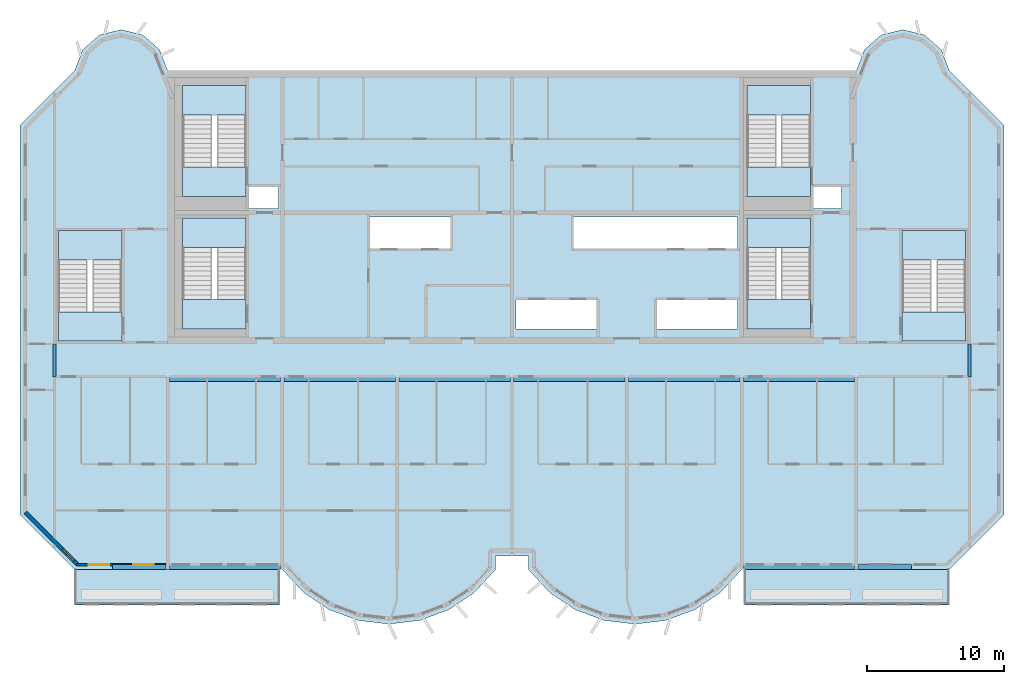
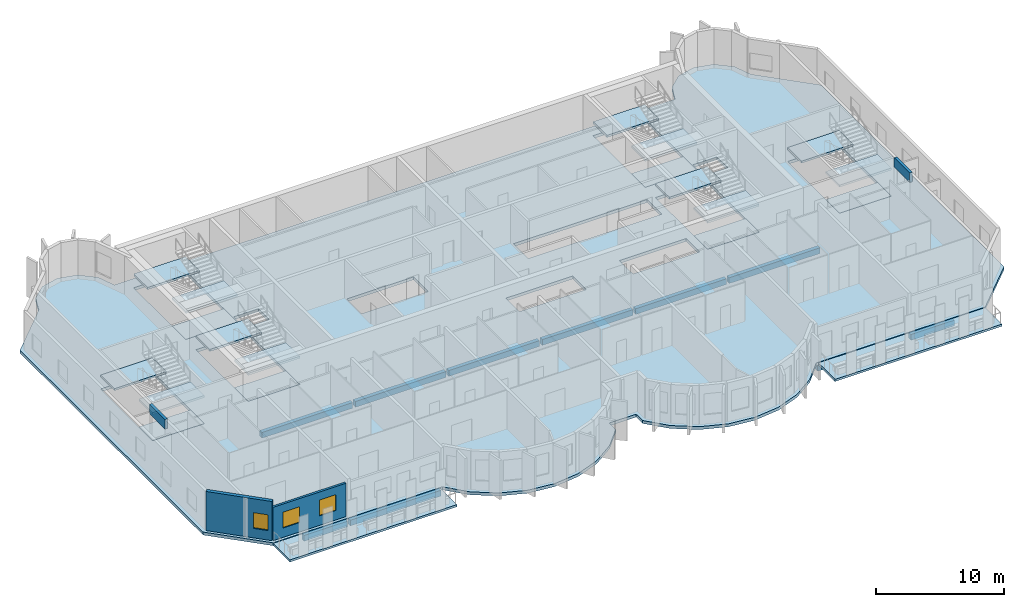
# One storey, part 1 of 12: 21 slabs, 12 beams, 3 windows, 2 walls, 3 openings, 6 elements without a shape of their own.
"""IFC4 building model written with IfcOpenShell, lengths in metres."""

from ifc_helpers import new_model, si_unit, direction, frame, frame_2d, origin, origin_2d, place, context, subcontext, project, spatial, polyline, rectangle, outline, extrude, source, transform, mapped, material, layer, layer_set, material_profile, profile_set, type_object, element, fill, aggregate, save


model = new_model("IFC4")

# Units and contexts
model_context = context("Model", 3, precision=1e-05, world=origin(), true_north=direction((0.0, 1.0)))
body_context = subcontext(model_context, "Body", "Model", "MODEL_VIEW")
ifc_project = project(units=[si_unit("LENGTHUNIT", "METRE"), si_unit("AREAUNIT", "SQUARE_METRE"), si_unit("VOLUMEUNIT", "CUBIC_METRE"), si_unit("PLANEANGLEUNIT", "RADIAN"), si_unit("MASSUNIT", "GRAM", prefix="KILO")], contexts=[model_context])

# Site, building, storey
site_placement = place(None, origin())
site = spatial("IfcSite", under=ifc_project, at=site_placement, CompositionType="ELEMENT")
building_placement = place(site_placement, origin())
building = spatial("IfcBuilding", under=site, at=building_placement, Name="Vanashikhar Sky Hotel", CompositionType="ELEMENT")
storey_placement = place(building_placement, frame((0.0, 0.0, 281.699951171875)))
storey = spatial("IfcBuildingStorey", under=building, at=storey_placement, Name="L67", CompositionType="ELEMENT", Elevation=281.699951171875)

# Beams
ifc_material_1 = material(Name="Concrete M50", Category="concrete")
ifc_material_profile_1 = material_profile(ifc_material_1, rectangle(XDim=0.25, YDim=0.89990234375, at=origin_2d()))
ifc_profile_set_1 = profile_set([ifc_material_profile_1], Name="RC 250x900 beam Concrete M50")
beam_type_1 = type_object("IfcBeamType", Name="RC 250x900 beam Concrete M50", PredefinedType="LINTEL", material=ifc_profile_set_1)
shared_shape_1 = source(origin(), body_context, "Body", "SweptSolid", [
    extrude(rectangle(XDim=0.25, YDim=0.89990234375, at=origin_2d()), origin(), (0.0, 0.0, 1.0), 2.39990234375),
])
for number, where, z_axis, x_axis, name in (
    (1, (16.925048828125, 19.60009765625, 3.27001953125), (0.0, 1.0, 0.0), (-1.0, 0.0, 0.0), "LB-L67-XW03"),
    (2, (83.875, 19.60009765625, 3.27001953125), (0.0, 1.0, 0.0), (-1.0, 0.0, 0.0), "LB-L67-XW11"),
):
    element("IfcBeam", number, at=place(storey_placement, frame(where, z_axis=z_axis, x_axis=x_axis)), inside=storey, type_object=beam_type_1, Name=name, PredefinedType="LINTEL", context=body_context, shape_type="MappedRepresentation", body=[
        mapped(shared_shape_1, transform((0.0, 0.0, 0.0), scale=1.0)),
    ])
ifc_material_profile_2 = material_profile(ifc_material_1, rectangle(XDim=0.35009765625, YDim=0.550048828125, at=origin_2d()))
ifc_profile_set_2 = profile_set([ifc_material_profile_2], Name="RC 350x550 beam Concrete M50")
beam_type_2 = type_object("IfcBeamType", Name="RC 350x550 beam Concrete M50", PredefinedType="SPANDREL", material=ifc_profile_set_2)
shared_shape_2 = source(origin(), body_context, "Body", "SweptSolid", [
    extrude(rectangle(XDim=0.35009765625, YDim=0.550048828125, at=origin_2d()), origin(), (0.0, 0.0, 1.0), 8.150146484375),
])
for number, where, z_axis, x_axis, name in (
    (3, (25.324951171875, 5.675048828125, -0.554931640625), (1.0, 0.0, 0.0), (0.0, 1.0, 0.0), "EB-L67-F01"),
    (4, (67.324951171875, 5.675048828125, -0.554931640625), (1.0, 0.0, 0.0), (0.0, 1.0, 0.0), "EB-L67-F03"),
    (5, (25.324951171875, 19.425048828125, -0.554931640625), (1.0, 0.0, 0.0), (0.0, 1.0, 0.0), "CB-L67-01"),
    (6, (50.52490234375, 19.425048828125, -0.554931640625), (1.0, 0.0, 0.0), (0.0, 1.0, 0.0), "CB-L67-04"),
    (7, (67.324951171875, 19.425048828125, -0.554931640625), (1.0, 0.0, 0.0), (0.0, 1.0, 0.0), "CB-L67-06"),
):
    element("IfcBeam", number, at=place(storey_placement, frame(where, z_axis=z_axis, x_axis=x_axis)), inside=storey, type_object=beam_type_2, Name=name, PredefinedType="SPANDREL", context=body_context, shape_type="MappedRepresentation", body=[
        mapped(shared_shape_2, transform((0.0, 0.0, 0.0), scale=1.0)),
    ])
ifc_material_profile_3 = material_profile(ifc_material_1, rectangle(XDim=0.35009765625, YDim=0.550048828125, at=origin_2d()))
ifc_profile_set_3 = profile_set([ifc_material_profile_3], Name="RC 350x550 cantilever beam Concrete M50")
beam_type_3 = type_object("IfcBeamType", Name="RC 350x550 cantilever beam Concrete M50", PredefinedType="SPANDREL", material=ifc_profile_set_3)
shared_shape_3 = source(origin(), body_context, "Body", "SweptSolid", [
    extrude(rectangle(XDim=0.35009765625, YDim=0.550048828125, at=origin_2d()), origin(), (0.0, 0.0, 1.0), 3.89990234375),
])
for number, where, z_axis, x_axis, name in (
    (8, (21.175048828125, 5.675048828125, -0.554931640625), (1.0, 0.0, 0.0), (0.0, 1.0, 0.0), "EB-L67-F02"),
    (9, (75.72509765625, 5.675048828125, -0.554931640625), (1.0, 0.0, 0.0), (0.0, 1.0, 0.0), "EB-L67-F04"),
):
    element("IfcBeam", number, at=place(storey_placement, frame(where, z_axis=z_axis, x_axis=x_axis)), inside=storey, type_object=beam_type_3, Name=name, PredefinedType="SPANDREL", context=body_context, shape_type="MappedRepresentation", body=[
        mapped(shared_shape_3, transform((0.0, 0.0, 0.0), scale=1.0)),
    ])
shared_shape_4 = source(origin(), body_context, "Body", "SweptSolid", [
    extrude(rectangle(XDim=0.35009765625, YDim=0.550048828125, at=origin_2d()), origin(), (0.0, 0.0, 1.0), 8.14990234375),
])
for number, where, z_axis, x_axis, name in (
    (10, (33.72509765625, 19.425048828125, -0.554931640625), (1.0, 0.0, 0.0), (0.0, 1.0, 0.0), "CB-L67-02"),
    (11, (42.125, 19.425048828125, -0.554931640625), (1.0, 0.0, 0.0), (0.0, 1.0, 0.0), "CB-L67-03"),
    (12, (58.925048828125, 19.425048828125, -0.554931640625), (1.0, 0.0, 0.0), (0.0, 1.0, 0.0), "CB-L67-05"),
):
    element("IfcBeam", number, at=place(storey_placement, frame(where, z_axis=z_axis, x_axis=x_axis)), inside=storey, type_object=beam_type_2, Name=name, PredefinedType="SPANDREL", context=body_context, shape_type="MappedRepresentation", body=[
        mapped(shared_shape_4, transform((0.0, 0.0, 0.0), scale=1.0)),
    ])

# Slabs
ifc_material_2 = material(Name="Concrete M40", Category="concrete")
ifc_layer_1 = layer(ifc_material_2, 0.280029296875)
ifc_layer_set_1 = layer_set([ifc_layer_1], Name="Floor slab 280 mm")
slab_type_1 = type_object("IfcSlabType", Name="Floor slab 280 mm", PredefinedType="FLOOR", material=ifc_layer_set_1)
shared_shape_5 = source(origin(), body_context, "Body", "SweptSolid", [
    extrude(outline(polyline([(49.199951171875, 5.5), (49.199951171875, 6.5), (51.60009765625, 6.5), (51.60009765625, 5.5), (53.133056640625, 3.825927734375), (55.01708984375, 2.55810546875), (57.14599609375, 1.76806640625), (59.39990234375, 1.5), (61.654052734375, 1.76806640625), (63.782958984375, 2.55810546875), (65.6669921875, 3.825927734375), (67.199951171875, 5.5), (82.39990234375, 5.5), (86.39990234375, 9.5), (86.39990234375, 38.0), (82.39990234375, 42.0), (81.81494140625, 43.527099609375), (80.587890625, 44.610107421875), (79.0, 45.0), (77.412109375, 44.610107421875), (76.18505859375, 43.527099609375), (75.60009765625, 42.0), (25.199951171875, 42.0), (24.614990234375, 43.527099609375), (23.387939453125, 44.610107421875), (21.800048828125, 45.0), (20.2119140625, 44.610107421875), (18.985107421875, 43.527099609375), (18.39990234375, 42.0), (14.39990234375, 38.0), (14.39990234375, 9.5), (18.39990234375, 5.5), (33.60009765625, 5.5), (35.133056640625, 3.825927734375), (37.01708984375, 2.55810546875), (39.14599609375, 1.76806640625), (41.39990234375, 1.5), (43.654052734375, 1.76806640625), (45.782958984375, 2.55810546875), (47.6669921875, 3.825927734375), (49.199951171875, 5.5)]), holes=[polyline([(33.300048828125, 33.60009765625), (31.050048828125, 33.60009765625), (31.050048828125, 31.89990234375), (33.300048828125, 31.89990234375), (33.300048828125, 33.60009765625)]), polyline([(39.89990234375, 31.300048828125), (39.89990234375, 29.0), (45.89990234375, 29.0), (45.89990234375, 31.300048828125), (39.89990234375, 31.300048828125)]), polyline([(50.699951171875, 25.199951171875), (50.699951171875, 23.10009765625), (56.699951171875, 23.10009765625), (56.699951171875, 25.199951171875), (50.699951171875, 25.199951171875)]), polyline([(66.89990234375, 29.0), (66.89990234375, 31.300048828125), (54.89990234375, 31.300048828125), (54.89990234375, 29.0), (66.89990234375, 29.0)]), polyline([(60.89990234375, 25.199951171875), (60.89990234375, 23.10009765625), (66.89990234375, 23.10009765625), (66.89990234375, 25.199951171875), (60.89990234375, 25.199951171875)]), polyline([(74.5, 33.60009765625), (72.35009765625, 33.60009765625), (72.35009765625, 31.89990234375), (74.5, 31.89990234375), (74.5, 33.60009765625)]), polyline([(30.949951171875, 23.10009765625), (30.949951171875, 31.199951171875), (26.300048828125, 31.199951171875), (26.300048828125, 23.10009765625), (30.949951171875, 23.10009765625)]), polyline([(72.25, 23.10009765625), (72.25, 31.199951171875), (67.60009765625, 31.199951171875), (67.60009765625, 23.10009765625), (72.25, 23.10009765625)]), polyline([(30.949951171875, 32.800048828125), (30.949951171875, 40.89990234375), (26.300048828125, 40.89990234375), (26.300048828125, 32.800048828125), (30.949951171875, 32.800048828125)]), polyline([(72.25, 32.800048828125), (72.25, 40.89990234375), (67.60009765625, 40.89990234375), (67.60009765625, 32.800048828125), (72.25, 32.800048828125)]), polyline([(83.60009765625, 22.199951171875), (83.60009765625, 30.300048828125), (78.949951171875, 30.300048828125), (78.949951171875, 22.199951171875), (83.60009765625, 22.199951171875)]), polyline([(21.85009765625, 22.199951171875), (21.85009765625, 30.300048828125), (17.199951171875, 30.300048828125), (17.199951171875, 22.199951171875), (21.85009765625, 22.199951171875)])]), origin(), (0.0, 0.0, 1.0), 0.280029296875),
])
slab_1_placement = place(storey_placement, frame((0.0, 0.0, -0.280029296875)))
element("IfcSlab", 13, at=slab_1_placement, inside=storey, type_object=slab_type_1, Name="Floor slab L67", PredefinedType="FLOOR", context=body_context, shape_type="MappedRepresentation", body=[
    mapped(shared_shape_5, transform((0.0, 0.0, 0.0), scale=1.0)),
])
ifc_layer_2 = layer(ifc_material_2, 0.199951171875)
ifc_layer_set_2 = layer_set([ifc_layer_2], Name="Balcony slab 200 mm")
slab_type_2 = type_object("IfcSlabType", Name="Balcony slab 200 mm", PredefinedType="USERDEFINED", material=ifc_layer_set_2)
shared_shape_6 = source(origin(), body_context, "Body", "SweptSolid", [
    extrude(outline(polyline([(18.39990234375, 2.89990234375), (33.39990234375, 2.89990234375), (33.39990234375, 5.5), (18.39990234375, 5.5), (18.39990234375, 2.89990234375)])), origin(), (0.0, 0.0, 1.0), 0.199951171875),
])
slab_2_placement = place(storey_placement, frame((0.0, 0.0, -0.25)))
element("IfcSlab", 14, at=slab_2_placement, inside=storey, type_object=slab_type_2, Name="Balcony slab L67 1", ObjectType="BALCONY", PredefinedType="USERDEFINED", context=body_context, shape_type="MappedRepresentation", body=[
    mapped(shared_shape_6, transform((0.0, 0.0, 0.0), scale=1.0)),
])
shared_shape_7 = source(origin(), body_context, "Body", "SweptSolid", [
    extrude(outline(polyline([(67.39990234375, 2.89990234375), (82.39990234375, 2.89990234375), (82.39990234375, 5.5), (67.39990234375, 5.5), (67.39990234375, 2.89990234375)])), origin(), (0.0, 0.0, 1.0), 0.199951171875),
])
slab_3_placement = place(storey_placement, frame((0.0, 0.0, -0.25)))
element("IfcSlab", 15, at=slab_3_placement, inside=storey, type_object=slab_type_2, Name="Balcony slab L67 2", ObjectType="BALCONY", PredefinedType="USERDEFINED", context=body_context, shape_type="MappedRepresentation", body=[
    mapped(shared_shape_7, transform((0.0, 0.0, 0.0), scale=1.0)),
])

# Stair, slabs
stair_type = type_object("IfcStairType", Name="Exit stair 2150", PredefinedType="DOUBLE_RETURN_STAIR", material=ifc_material_2)
stair_1_placement = place(storey_placement, origin())
stair_1 = element("IfcStair", 16, at=stair_1_placement, inside=storey, type_object=stair_type, Name="L67 Exit stair 1", PredefinedType="DOUBLE_RETURN_STAIR")
ifc_layer_3 = layer(ifc_material_2, 0.199951171875)
ifc_layer_set_3 = layer_set([ifc_layer_3], Name="Stair landing 200")
slab_type_3 = type_object("IfcSlabType", Name="Stair landing 200", PredefinedType="LANDING", material=ifc_layer_set_3)
shared_shape_8 = source(origin(), body_context, "Body", "SweptSolid", [
    extrude(outline(polyline([(30.949951171875, 23.10009765625), (30.949951171875, 25.25), (26.300048828125, 25.25), (26.300048828125, 23.10009765625), (30.949951171875, 23.10009765625)])), origin(), (0.0, 0.0, 1.0), 0.199951171875),
])
slab_4_placement = place(storey_placement, frame((0.0, 0.0, 2.466796875)))
slab_4 = element("IfcSlab", 17, at=slab_4_placement, type_object=slab_type_3, Name="ST-C1 landing 2", PredefinedType="LANDING", context=body_context, shape_type="MappedRepresentation", body=[
    mapped(shared_shape_8, transform((0.0, 0.0, 0.0), scale=1.0)),
])
shared_shape_9 = source(origin(), body_context, "Body", "SweptSolid", [
    extrude(outline(polyline([(30.949951171875, 29.050048828125), (30.949951171875, 31.199951171875), (26.300048828125, 31.199951171875), (26.300048828125, 29.050048828125), (30.949951171875, 29.050048828125)])), origin(), (0.0, 0.0, 1.0), 0.2001953125),
])
slab_5_placement = place(storey_placement, frame((0.0, 0.0, 1.13330078125)))
slab_5 = element("IfcSlab", 18, at=slab_5_placement, type_object=slab_type_3, Name="ST-C1 landing 1", PredefinedType="LANDING", context=body_context, shape_type="MappedRepresentation", body=[
    mapped(shared_shape_9, transform((0.0, 0.0, 0.0), scale=1.0)),
])
aggregate(stair_1, [slab_5, slab_4])

# Slab
ifc_layer_4 = layer(ifc_material_2, 0.280029296875)
ifc_layer_set_4 = layer_set([ifc_layer_4], Name="Stair floor landing 280")
slab_type_4 = type_object("IfcSlabType", Name="Stair floor landing 280", PredefinedType="LANDING", material=ifc_layer_set_4)
shared_shape_10 = source(origin(), body_context, "Body", "SweptSolid", [
    extrude(outline(polyline([(30.949951171875, 23.10009765625), (30.949951171875, 25.25), (26.300048828125, 25.25), (26.300048828125, 23.10009765625), (30.949951171875, 23.10009765625)])), origin(), (0.0, 0.0, 1.0), 0.280029296875),
])
slab_6_placement = place(storey_placement, frame((0.0, 0.0, -0.280029296875)))
element("IfcSlab", 19, at=slab_6_placement, inside=storey, type_object=slab_type_4, Name="Exit stair 1 floor landing", PredefinedType="LANDING", context=body_context, shape_type="MappedRepresentation", body=[
    mapped(shared_shape_10, transform((0.0, 0.0, 0.0), scale=1.0)),
])

# Stair, slabs
stair_2_placement = place(storey_placement, origin())
stair_2 = element("IfcStair", 20, at=stair_2_placement, inside=storey, type_object=stair_type, Name="L67 Exit stair 2", PredefinedType="DOUBLE_RETURN_STAIR")
shared_shape_11 = source(origin(), body_context, "Body", "SweptSolid", [
    extrude(outline(polyline([(72.25, 23.10009765625), (72.25, 25.25), (67.60009765625, 25.25), (67.60009765625, 23.10009765625), (72.25, 23.10009765625)])), origin(), (0.0, 0.0, 1.0), 0.199951171875),
])
slab_7_placement = place(storey_placement, frame((0.0, 0.0, 2.466796875)))
slab_7 = element("IfcSlab", 21, at=slab_7_placement, type_object=slab_type_3, Name="ST-C2 landing 2", PredefinedType="LANDING", context=body_context, shape_type="MappedRepresentation", body=[
    mapped(shared_shape_11, transform((0.0, 0.0, 0.0), scale=1.0)),
])
shared_shape_12 = source(origin(), body_context, "Body", "SweptSolid", [
    extrude(outline(polyline([(72.25, 29.050048828125), (72.25, 31.199951171875), (67.60009765625, 31.199951171875), (67.60009765625, 29.050048828125), (72.25, 29.050048828125)])), origin(), (0.0, 0.0, 1.0), 0.2001953125),
])
slab_8_placement = place(storey_placement, frame((0.0, 0.0, 1.13330078125)))
slab_8 = element("IfcSlab", 22, at=slab_8_placement, type_object=slab_type_3, Name="ST-C2 landing 1", PredefinedType="LANDING", context=body_context, shape_type="MappedRepresentation", body=[
    mapped(shared_shape_12, transform((0.0, 0.0, 0.0), scale=1.0)),
])
aggregate(stair_2, [slab_8, slab_7])

# Slab
shared_shape_13 = source(origin(), body_context, "Body", "SweptSolid", [
    extrude(outline(polyline([(72.25, 23.10009765625), (72.25, 25.25), (67.60009765625, 25.25), (67.60009765625, 23.10009765625), (72.25, 23.10009765625)])), origin(), (0.0, 0.0, 1.0), 0.280029296875),
])
slab_9_placement = place(storey_placement, frame((0.0, 0.0, -0.280029296875)))
element("IfcSlab", 23, at=slab_9_placement, inside=storey, type_object=slab_type_4, Name="Exit stair 2 floor landing", PredefinedType="LANDING", context=body_context, shape_type="MappedRepresentation", body=[
    mapped(shared_shape_13, transform((0.0, 0.0, 0.0), scale=1.0)),
])

# Stair, slabs
stair_3_placement = place(storey_placement, origin())
stair_3 = element("IfcStair", 24, at=stair_3_placement, inside=storey, type_object=stair_type, Name="L67 Exit stair 3", PredefinedType="DOUBLE_RETURN_STAIR")
shared_shape_14 = source(origin(), body_context, "Body", "SweptSolid", [
    extrude(outline(polyline([(21.85009765625, 22.199951171875), (21.85009765625, 24.35009765625), (17.199951171875, 24.35009765625), (17.199951171875, 22.199951171875), (21.85009765625, 22.199951171875)])), origin(), (0.0, 0.0, 1.0), 0.199951171875),
])
slab_10_placement = place(storey_placement, frame((0.0, 0.0, 2.466796875)))
slab_10 = element("IfcSlab", 25, at=slab_10_placement, type_object=slab_type_3, Name="ST-W landing 2", PredefinedType="LANDING", context=body_context, shape_type="MappedRepresentation", body=[
    mapped(shared_shape_14, transform((0.0, 0.0, 0.0), scale=1.0)),
])
shared_shape_15 = source(origin(), body_context, "Body", "SweptSolid", [
    extrude(outline(polyline([(21.85009765625, 28.14990234375), (21.85009765625, 30.300048828125), (17.199951171875, 30.300048828125), (17.199951171875, 28.14990234375), (21.85009765625, 28.14990234375)])), origin(), (0.0, 0.0, 1.0), 0.2001953125),
])
slab_11_placement = place(storey_placement, frame((0.0, 0.0, 1.13330078125)))
slab_11 = element("IfcSlab", 26, at=slab_11_placement, type_object=slab_type_3, Name="ST-W landing 1", PredefinedType="LANDING", context=body_context, shape_type="MappedRepresentation", body=[
    mapped(shared_shape_15, transform((0.0, 0.0, 0.0), scale=1.0)),
])
aggregate(stair_3, [slab_11, slab_10])

# Slab
shared_shape_16 = source(origin(), body_context, "Body", "SweptSolid", [
    extrude(outline(polyline([(21.85009765625, 22.199951171875), (21.85009765625, 24.35009765625), (17.199951171875, 24.35009765625), (17.199951171875, 22.199951171875), (21.85009765625, 22.199951171875)])), origin(), (0.0, 0.0, 1.0), 0.280029296875),
])
slab_12_placement = place(storey_placement, frame((0.0, 0.0, -0.280029296875)))
element("IfcSlab", 27, at=slab_12_placement, inside=storey, type_object=slab_type_4, Name="Exit stair 3 floor landing", PredefinedType="LANDING", context=body_context, shape_type="MappedRepresentation", body=[
    mapped(shared_shape_16, transform((0.0, 0.0, 0.0), scale=1.0)),
])

# Stair, slabs
stair_4_placement = place(storey_placement, origin())
stair_4 = element("IfcStair", 28, at=stair_4_placement, inside=storey, type_object=stair_type, Name="L67 Exit stair 4", PredefinedType="DOUBLE_RETURN_STAIR")
shared_shape_17 = source(origin(), body_context, "Body", "SweptSolid", [
    extrude(outline(polyline([(83.60009765625, 22.199951171875), (83.60009765625, 24.35009765625), (78.949951171875, 24.35009765625), (78.949951171875, 22.199951171875), (83.60009765625, 22.199951171875)])), origin(), (0.0, 0.0, 1.0), 0.199951171875),
])
slab_13_placement = place(storey_placement, frame((0.0, 0.0, 2.466796875)))
slab_13 = element("IfcSlab", 29, at=slab_13_placement, type_object=slab_type_3, Name="ST-E landing 2", PredefinedType="LANDING", context=body_context, shape_type="MappedRepresentation", body=[
    mapped(shared_shape_17, transform((0.0, 0.0, 0.0), scale=1.0)),
])
shared_shape_18 = source(origin(), body_context, "Body", "SweptSolid", [
    extrude(outline(polyline([(83.60009765625, 28.14990234375), (83.60009765625, 30.300048828125), (78.949951171875, 30.300048828125), (78.949951171875, 28.14990234375), (83.60009765625, 28.14990234375)])), origin(), (0.0, 0.0, 1.0), 0.2001953125),
])
slab_14_placement = place(storey_placement, frame((0.0, 0.0, 1.13330078125)))
slab_14 = element("IfcSlab", 30, at=slab_14_placement, type_object=slab_type_3, Name="ST-E landing 1", PredefinedType="LANDING", context=body_context, shape_type="MappedRepresentation", body=[
    mapped(shared_shape_18, transform((0.0, 0.0, 0.0), scale=1.0)),
])
aggregate(stair_4, [slab_14, slab_13])

# Slab
shared_shape_19 = source(origin(), body_context, "Body", "SweptSolid", [
    extrude(outline(polyline([(83.60009765625, 22.199951171875), (83.60009765625, 24.35009765625), (78.949951171875, 24.35009765625), (78.949951171875, 22.199951171875), (83.60009765625, 22.199951171875)])), origin(), (0.0, 0.0, 1.0), 0.280029296875),
])
slab_15_placement = place(storey_placement, frame((0.0, 0.0, -0.280029296875)))
element("IfcSlab", 31, at=slab_15_placement, inside=storey, type_object=slab_type_4, Name="Exit stair 4 floor landing", PredefinedType="LANDING", context=body_context, shape_type="MappedRepresentation", body=[
    mapped(shared_shape_19, transform((0.0, 0.0, 0.0), scale=1.0)),
])

# Stair, slabs
stair_5_placement = place(storey_placement, origin())
stair_5 = element("IfcStair", 32, at=stair_5_placement, inside=storey, type_object=stair_type, Name="L67 Exit stair 5", PredefinedType="DOUBLE_RETURN_STAIR")
shared_shape_20 = source(origin(), body_context, "Body", "SweptSolid", [
    extrude(outline(polyline([(30.949951171875, 32.800048828125), (30.949951171875, 34.949951171875), (26.300048828125, 34.949951171875), (26.300048828125, 32.800048828125), (30.949951171875, 32.800048828125)])), origin(), (0.0, 0.0, 1.0), 0.199951171875),
])
slab_16_placement = place(storey_placement, frame((0.0, 0.0, 2.466796875)))
slab_16 = element("IfcSlab", 33, at=slab_16_placement, type_object=slab_type_3, Name="ST-C3 landing 2", PredefinedType="LANDING", context=body_context, shape_type="MappedRepresentation", body=[
    mapped(shared_shape_20, transform((0.0, 0.0, 0.0), scale=1.0)),
])
shared_shape_21 = source(origin(), body_context, "Body", "SweptSolid", [
    extrude(outline(polyline([(30.949951171875, 38.75), (30.949951171875, 40.89990234375), (26.300048828125, 40.89990234375), (26.300048828125, 38.75), (30.949951171875, 38.75)])), origin(), (0.0, 0.0, 1.0), 0.2001953125),
])
slab_17_placement = place(storey_placement, frame((0.0, 0.0, 1.13330078125)))
slab_17 = element("IfcSlab", 34, at=slab_17_placement, type_object=slab_type_3, Name="ST-C3 landing 1", PredefinedType="LANDING", context=body_context, shape_type="MappedRepresentation", body=[
    mapped(shared_shape_21, transform((0.0, 0.0, 0.0), scale=1.0)),
])
aggregate(stair_5, [slab_17, slab_16])

# Slab
shared_shape_22 = source(origin(), body_context, "Body", "SweptSolid", [
    extrude(outline(polyline([(30.949951171875, 32.800048828125), (30.949951171875, 34.949951171875), (26.300048828125, 34.949951171875), (26.300048828125, 32.800048828125), (30.949951171875, 32.800048828125)])), origin(), (0.0, 0.0, 1.0), 0.280029296875),
])
slab_18_placement = place(storey_placement, frame((0.0, 0.0, -0.280029296875)))
element("IfcSlab", 35, at=slab_18_placement, inside=storey, type_object=slab_type_4, Name="Exit stair 5 floor landing", PredefinedType="LANDING", context=body_context, shape_type="MappedRepresentation", body=[
    mapped(shared_shape_22, transform((0.0, 0.0, 0.0), scale=1.0)),
])

# Stair, slabs
stair_6_placement = place(storey_placement, origin())
stair_6 = element("IfcStair", 36, at=stair_6_placement, inside=storey, type_object=stair_type, Name="L67 Exit stair 6", PredefinedType="DOUBLE_RETURN_STAIR")
shared_shape_23 = source(origin(), body_context, "Body", "SweptSolid", [
    extrude(outline(polyline([(72.25, 32.800048828125), (72.25, 34.949951171875), (67.60009765625, 34.949951171875), (67.60009765625, 32.800048828125), (72.25, 32.800048828125)])), origin(), (0.0, 0.0, 1.0), 0.199951171875),
])
slab_19_placement = place(storey_placement, frame((0.0, 0.0, 2.466796875)))
slab_19 = element("IfcSlab", 37, at=slab_19_placement, type_object=slab_type_3, Name="ST-C4 landing 2", PredefinedType="LANDING", context=body_context, shape_type="MappedRepresentation", body=[
    mapped(shared_shape_23, transform((0.0, 0.0, 0.0), scale=1.0)),
])
shared_shape_24 = source(origin(), body_context, "Body", "SweptSolid", [
    extrude(outline(polyline([(72.25, 38.75), (72.25, 40.89990234375), (67.60009765625, 40.89990234375), (67.60009765625, 38.75), (72.25, 38.75)])), origin(), (0.0, 0.0, 1.0), 0.2001953125),
])
slab_20_placement = place(storey_placement, frame((0.0, 0.0, 1.13330078125)))
slab_20 = element("IfcSlab", 38, at=slab_20_placement, type_object=slab_type_3, Name="ST-C4 landing 1", PredefinedType="LANDING", context=body_context, shape_type="MappedRepresentation", body=[
    mapped(shared_shape_24, transform((0.0, 0.0, 0.0), scale=1.0)),
])
aggregate(stair_6, [slab_20, slab_19])

# Slab
shared_shape_25 = source(origin(), body_context, "Body", "SweptSolid", [
    extrude(outline(polyline([(72.25, 32.800048828125), (72.25, 34.949951171875), (67.60009765625, 34.949951171875), (67.60009765625, 32.800048828125), (72.25, 32.800048828125)])), origin(), (0.0, 0.0, 1.0), 0.280029296875),
])
slab_21_placement = place(storey_placement, frame((0.0, 0.0, -0.280029296875)))
element("IfcSlab", 39, at=slab_21_placement, inside=storey, type_object=slab_type_4, Name="Exit stair 6 floor landing", PredefinedType="LANDING", context=body_context, shape_type="MappedRepresentation", body=[
    mapped(shared_shape_25, transform((0.0, 0.0, 0.0), scale=1.0)),
])

# Wall, openings, windows
ifc_layer_5 = layer(ifc_material_1, 0.199951171875)
ifc_layer_set_5 = layer_set([ifc_layer_5], Name="Front window wall 200")
wall_type_1 = type_object("IfcWallType", Name="Front window wall 200", PredefinedType="SOLIDWALL", material=ifc_layer_set_5)
shared_shape_26 = source(origin(), body_context, "Body", "SweptSolid", [
    extrude(rectangle(XDim=6.530029296875, YDim=0.199951171875, at=frame_2d((3.26513671875, 0.0))), origin(), (0.0, 0.0, 1.0), 3.170166015625),
])
wall_1_placement = place(storey_placement, frame((18.544921875, 5.85009765625, 0.0), z_axis=(0.0, 0.0, 1.0), x_axis=(1.0, 0.0, 0.0)))
wall_1 = element("IfcWall", 40, at=wall_1_placement, inside=storey, type_object=wall_type_1, Name="Front window wall", PredefinedType="SOLIDWALL", context=body_context, shape_type="MappedRepresentation", body=[
    mapped(shared_shape_26, transform((0.0, 0.0, 0.0), scale=1.0)),
])
shared_shape_27 = source(origin(), body_context, "Body", "SweptSolid", [
    extrude(rectangle(XDim=1.5, YDim=1.5, at=frame_2d((0.75, 0.75))), frame((0.0, 0.10986328125, 0.0), z_axis=(0.0, -1.0, 0.0), x_axis=(1.0, 0.0, 0.0)), (0.0, 0.0, 1.0), 0.219970703125),
])
opening_1_placement = place(wall_1_placement, frame((0.882568359375, 0.0, 0.89990234375)))
opening_1 = element("IfcOpeningElement", 41, at=opening_1_placement, cuts=wall_1, Name="Opening WN-1", PredefinedType="OPENING", context=body_context, shape_type="MappedRepresentation", body=[
    mapped(shared_shape_27, transform((0.0, 0.0, 0.0), scale=1.0)),
])
opening_2_placement = place(wall_1_placement, frame((4.1474609375, 0.0, 0.89990234375)))
opening_2 = element("IfcOpeningElement", 42, at=opening_2_placement, cuts=wall_1, Name="Opening WN-1", PredefinedType="OPENING", context=body_context, shape_type="MappedRepresentation", body=[
    mapped(shared_shape_27, transform((0.0, 0.0, 0.0), scale=1.0)),
])
ifc_material_3 = material(Name="Glass", Category="glass")
window_type_1 = type_object("IfcWindowType", Name="Window 1500 x 1500", PartitioningType="SINGLE_PANEL", PredefinedType="WINDOW", material=ifc_material_3)
shared_shape_28 = source(origin(), body_context, "Body", "SweptSolid", [
    extrude(rectangle(XDim=1.5, YDim=1.5, at=frame_2d((0.75, 0.75))), frame((0.0, 0.030029296875, 0.0), z_axis=(0.0, -1.0, 0.0), x_axis=(1.0, 0.0, 0.0)), (0.0, 0.0, 1.0), 0.06005859375),
])
window_1_placement = place(opening_1_placement, origin())
window_1 = element("IfcWindow", 43, at=window_1_placement, inside=storey, type_object=window_type_1, Name="Window WN-1", OverallHeight=1.5, OverallWidth=1.5, PartitioningType="SINGLE_PANEL", PredefinedType="WINDOW", context=body_context, shape_type="MappedRepresentation", body=[
    mapped(shared_shape_28, transform((0.0, 0.0, 0.0), scale=1.0)),
])
fill(opening_1, window_1)
window_2_placement = place(opening_2_placement, origin())
window_2 = element("IfcWindow", 44, at=window_2_placement, inside=storey, type_object=window_type_1, Name="Window WN-1", OverallHeight=1.5, OverallWidth=1.5, PartitioningType="SINGLE_PANEL", PredefinedType="WINDOW", context=body_context, shape_type="MappedRepresentation", body=[
    mapped(shared_shape_28, transform((0.0, 0.0, 0.0), scale=1.0)),
])
fill(opening_2, window_2)

# Wall, opening, window
ifc_layer_6 = layer(ifc_material_1, 0.300048828125)
ifc_layer_set_6 = layer_set([ifc_layer_6], Name="Lobe wall 300")
wall_type_2 = type_object("IfcWallType", Name="Lobe wall 300", PredefinedType="SOLIDWALL", material=ifc_layer_set_6)
shared_shape_29 = source(origin(), body_context, "Body", "SweptSolid", [
    extrude(rectangle(XDim=5.32568359375, YDim=0.300048828125, at=frame_2d((2.662841796875, 0.0))), origin(), (0.0, 0.0, 1.0), 3.719970703125),
])
wall_2_placement = place(storey_placement, frame((14.800048828125, 9.665771484375, 0.0), z_axis=(0.0, 0.0, 1.0), x_axis=(0.707083859269, -0.707129702361, 0.0)))
wall_2 = element("IfcWall", 45, at=wall_2_placement, inside=storey, type_object=wall_type_2, Name="Corner wall", PredefinedType="SOLIDWALL", context=body_context, shape_type="MappedRepresentation", body=[
    mapped(shared_shape_29, transform((0.0, 0.0, 0.0), scale=1.0)),
])
shared_shape_30 = source(origin(), body_context, "Body", "SweptSolid", [
    extrude(rectangle(XDim=1.199951171875, YDim=1.5, at=frame_2d((0.60009765625, 0.75))), frame((0.0, 0.16015625, 0.0), z_axis=(0.0, -1.0, 0.0), x_axis=(1.0, 0.0, 0.0)), (0.0, 0.0, 1.0), 0.320068359375),
])
opening_3_placement = place(wall_2_placement, frame((3.8154296875, 0.0, 0.89990234375)))
opening_3 = element("IfcOpeningElement", 46, at=opening_3_placement, cuts=wall_2, Name="Opening WN-3", PredefinedType="OPENING", context=body_context, shape_type="MappedRepresentation", body=[
    mapped(shared_shape_30, transform((0.0, 0.0, 0.0), scale=1.0)),
])
window_type_2 = type_object("IfcWindowType", Name="Corridor end window 1200 x 1500", PartitioningType="SINGLE_PANEL", PredefinedType="WINDOW", material=ifc_material_3)
shared_shape_31 = source(origin(), body_context, "Body", "SweptSolid", [
    extrude(rectangle(XDim=1.199951171875, YDim=1.5, at=frame_2d((0.60009765625, 0.75))), frame((0.0, 0.030029296875, 0.0), z_axis=(0.0, -1.0, 0.0), x_axis=(1.0, 0.0, 0.0)), (0.0, 0.0, 1.0), 0.06005859375),
])
window_3_placement = place(opening_3_placement, origin())
window_3 = element("IfcWindow", 47, at=window_3_placement, inside=storey, type_object=window_type_2, Name="Window WN-3", OverallHeight=1.5, OverallWidth=1.199951171875, PartitioningType="SINGLE_PANEL", PredefinedType="WINDOW", context=body_context, shape_type="MappedRepresentation", body=[
    mapped(shared_shape_31, transform((0.0, 0.0, 0.0), scale=1.0)),
])
fill(opening_3, window_3)

save(model, "model.ifc")
